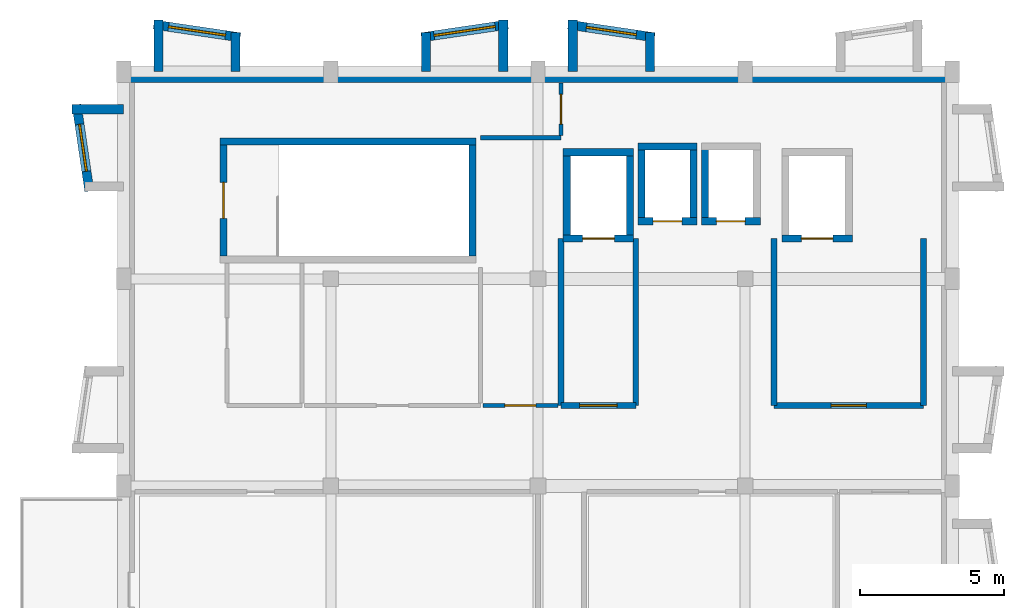
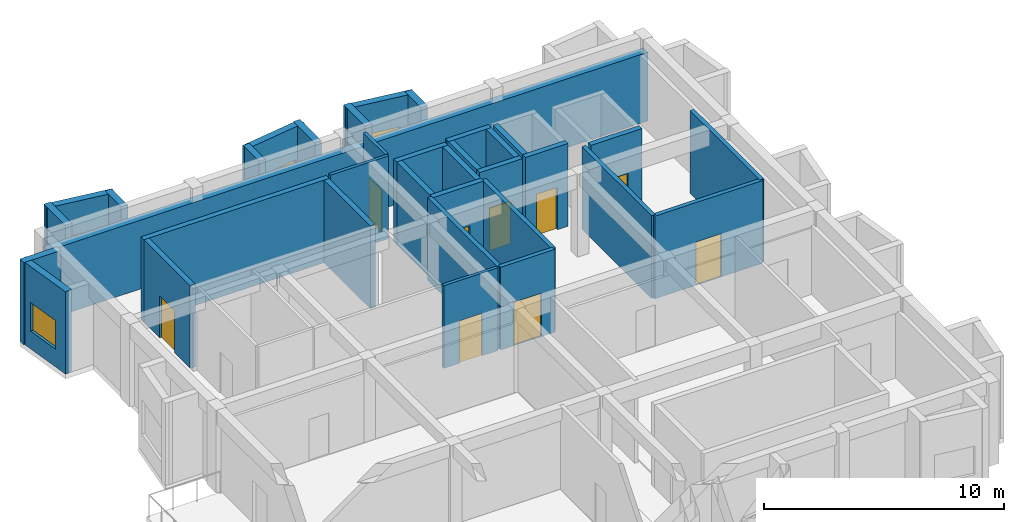
# One storey, part 3 of 5: 35 walls, 9 doors, 4 windows, 13 openings.
"""IFC4 building model written with IfcOpenShell, lengths in metres."""

import ifcopenshell
import ifcopenshell.guid

model = None  # the IFC model being written
_history = None  # IfcOwnerHistory: only IFC2X3 demands one
_inside = {}  # id of a spatial element -> (the spatial element, [elements in it])
_under = {}  # id of a project, library or spatial element -> (it, [spatial elements below it])
_declared = {}  # id of a project -> (the project, [libraries it declares])
_typed = {}  # id of a type object -> (the type object, [elements of that type])
_made_of = {}  # id of a material, layer set ... -> (it, [elements and type objects made of it])


def new_model(schema):
    """Start an empty IFC model of exactly this schema.

    Asked for "IFC4X3", IfcOpenShell would pick the latest addendum, in which some entities
    have other attributes; the version numbers below select the first issue.
    IFC2X3 requires an IfcOwnerHistory on every rooted entity: one is made here for all.
    """
    global model, _history
    if schema == "IFC4X3":
        model = ifcopenshell.file(schema_version=(4, 3, 0, 0))
    else:
        model = ifcopenshell.file(schema=schema)
    _inside.clear()
    _under.clear()
    _declared.clear()
    _typed.clear()
    _made_of.clear()
    _history = None
    if model.schema == "IFC2X3":
        org = make("IfcOrganization", Name="unknown")
        user = make(
            "IfcPersonAndOrganization",
            ThePerson=make("IfcPerson", FamilyName="unknown"),
            TheOrganization=org,
        )
        app = make(
            "IfcApplication",
            ApplicationDeveloper=org,
            Version="unknown",
            ApplicationFullName="unknown",
            ApplicationIdentifier="unknown",
        )
        _history = make(
            "IfcOwnerHistory",
            OwningUser=user,
            OwningApplication=app,
            ChangeAction="ADDED",
            CreationDate=0,
        )
    return model


def make(cls, **values):
    """One entity of the class cls with the attributes given. An attribute that is None is left unset."""
    return model.create_entity(
        cls, **{name: value for name, value in values.items() if value is not None}
    )


def rooted(cls, **values):
    """An entity with a GlobalId (a new one), such as an element, a storey or a relation."""
    return make(cls, GlobalId=ifcopenshell.guid.new(), OwnerHistory=_history, **values)


def si_unit(unit_type, name, prefix=None):
    """IfcSIUnit, for example si_unit("LENGTHUNIT", "METRE", prefix="MILLI")."""
    return make("IfcSIUnit", UnitType=unit_type, Prefix=prefix, Name=name)


def assignment(units):
    """IfcUnitAssignment: the units of a project."""
    return None if units is None else make("IfcUnitAssignment", Units=units)


def point(xyz):
    """IfcCartesianPoint."""
    return None if xyz is None else make("IfcCartesianPoint", Coordinates=xyz)


def direction(xyz):
    """IfcDirection."""
    return None if xyz is None else make("IfcDirection", DirectionRatios=xyz)


def frame(location, z_axis=None, x_axis=None):
    """IfcAxis2Placement3D, a coordinate frame: its origin and axes. An axis left out is left unset."""
    return make(
        "IfcAxis2Placement3D",
        Location=point(location),
        Axis=direction(z_axis),
        RefDirection=direction(x_axis),
    )


def frame_2d(location, x_axis=None):
    """IfcAxis2Placement2D, a coordinate frame in the plane: its origin and x axis."""
    return make(
        "IfcAxis2Placement2D", Location=point(location), RefDirection=direction(x_axis)
    )


def origin():
    """The frame at (0, 0, 0) with its axes left unset."""
    return frame((0.0, 0.0, 0.0))


def place(relative_to, where):
    """IfcLocalPlacement: puts the frame where relative to a parent placement (None: the world)."""
    return make(
        "IfcLocalPlacement", PlacementRelTo=relative_to, RelativePlacement=where
    )


def context(
    kind, dimensions, precision=None, world=None, true_north=None, identifier=None
):
    """IfcGeometricRepresentationContext, for example the 3D "Model" context."""
    return make(
        "IfcGeometricRepresentationContext",
        ContextIdentifier=identifier,
        ContextType=kind,
        CoordinateSpaceDimension=dimensions,
        Precision=precision,
        WorldCoordinateSystem=world,
        TrueNorth=true_north,
    )


def subcontext(parent, identifier, kind, view, scale=None):
    """IfcGeometricRepresentationSubContext, for example "Body" below "Model"."""
    return make(
        "IfcGeometricRepresentationSubContext",
        ContextIdentifier=identifier,
        ContextType=kind,
        ParentContext=parent,
        TargetScale=scale,
        TargetView=view,
    )


def project(units=None, contexts=None):
    """IfcProject with its units and contexts."""
    return rooted(
        "IfcProject",
        Name="project",
        RepresentationContexts=contexts,
        UnitsInContext=assignment(units),
    )


def spatial(cls, under=None, at=None, **own):
    """A site, building, storey or space (cls), placed at a placement, below another one or the project."""
    s = rooted(cls, ObjectPlacement=at, **own)
    if under is not None:
        _under.setdefault(under.id(), (under, []))[1].append(s)
    return s


def profile(cls, at=None, kind="AREA", **sizes):
    """A parametric profile (cls). Its sizes go by their IFC names, for example OverallWidth=200.0."""
    return make(cls, ProfileType=kind, Position=at, **sizes)


def rectangle(**sizes):
    """IfcRectangleProfileDef."""
    return profile("IfcRectangleProfileDef", **sizes)


def extrude(swept, where, along, depth):
    """IfcExtrudedAreaSolid: the profile swept, set in the frame where, extruded along a direction by depth."""
    return make(
        "IfcExtrudedAreaSolid",
        SweptArea=swept,
        Position=where,
        ExtrudedDirection=direction(along),
        Depth=depth,
    )


def shape(context_of_items, identifier, shape_type, items):
    """IfcShapeRepresentation: the items that make up one representation, for example the "Body"."""
    return make(
        "IfcShapeRepresentation",
        ContextOfItems=context_of_items,
        RepresentationIdentifier=identifier,
        RepresentationType=shape_type,
        Items=items,
    )


def material(Name=None, Category=None):
    """IfcMaterial."""
    return make("IfcMaterial", Name=Name, Category=Category)


def layer(
    of_material, thickness, ventilated=None, Name=None, Category=None, Priority=None
):
    """IfcMaterialLayer: one layer of a wall or slab, of a material (None: an air gap)."""
    return make(
        "IfcMaterialLayer",
        Material=of_material,
        LayerThickness=thickness,
        IsVentilated=ventilated,
        Name=Name,
        Category=Category,
        Priority=Priority,
    )


def layer_set(layers, Name=None):
    """IfcMaterialLayerSet."""
    return make("IfcMaterialLayerSet", MaterialLayers=layers, LayerSetName=Name)


def made_of(thing, what):
    """Note that an element or type object is made of a material, layer set ...; save() writes the relation."""
    if what is not None:
        _made_of.setdefault(what.id(), (what, []))[1].append(thing)
    return thing


def type_object(cls, material=None, **own):
    """A type object (cls), such as IfcWallType, which elements share."""
    return made_of(rooted(cls, **own), material)


def element(
    cls,
    number,
    at=None,
    inside=None,
    cuts=None,
    type_object=None,
    material=None,
    context=None,
    identifier="Body",
    shape_type=None,
    held_by="IfcProductDefinitionShape",
    body=None,
    shapes=None,
    **own,
):
    """One element of the class cls, such as IfcWall. Its Tag is "e" and its number.

    at: its placement. inside: the storey or other place that contains it. cuts: it is an
    opening in that element (IfcRelVoidsElement). A single representation is given by context,
    identifier, shape_type and body (its items); several are given by shapes. held_by: the class
    of the entity that holds the representations. save() writes the other relations.
    """
    e = rooted(cls, Tag="e%d" % number, ObjectPlacement=at, **own)
    if body is not None:
        shapes = [shape(context, identifier, shape_type, body)]
    if shapes is not None:
        e.Representation = make(held_by, Representations=shapes)
    if inside is not None:
        _inside.setdefault(inside.id(), (inside, []))[1].append(e)
    if cuts is not None:
        rooted(
            "IfcRelVoidsElement", RelatingBuildingElement=cuts, RelatedOpeningElement=e
        )
    if type_object is not None:
        _typed.setdefault(type_object.id(), (type_object, []))[1].append(e)
    return made_of(e, material)


def fill(opening, filler):
    """IfcRelFillsElement: the door or window that sits in an opening."""
    return rooted(
        "IfcRelFillsElement",
        RelatingOpeningElement=opening,
        RelatedBuildingElement=filler,
    )


def aggregate(whole, parts):
    """IfcRelAggregates: a whole, such as a stair, and the parts it consists of."""
    return rooted("IfcRelAggregates", RelatingObject=whole, RelatedObjects=parts)


def save(model, path):
    """Write the relations noted so far, then the file.

    IfcRelAggregates (storeys below a building ...), IfcRelContainedInSpatialStructure (elements
    in a storey), IfcRelDefinesByType, IfcRelAssociatesMaterial and IfcRelDeclares: one each for
    every whole, place, type object, material and project.
    """
    for whole, parts in _under.values():
        aggregate(whole, parts)
    for where, things in _inside.values():
        rooted(
            "IfcRelContainedInSpatialStructure",
            RelatedElements=things,
            RelatingStructure=where,
        )
    for kind, things in _typed.values():
        rooted("IfcRelDefinesByType", RelatedObjects=things, RelatingType=kind)
    for what, things in _made_of.values():
        rooted("IfcRelAssociatesMaterial", RelatedObjects=things, RelatingMaterial=what)
    for by, libraries in _declared.values():
        rooted("IfcRelDeclares", RelatingContext=by, RelatedDefinitions=libraries)
    model.write(path)


model = new_model("IFC4")

# Units and contexts
model_context = context("Model", 3, precision=1e-05, world=origin(), true_north=direction((0.0, 1.0)))
body_context = subcontext(model_context, "Body", "Model", "MODEL_VIEW")
ifc_project = project(units=[si_unit("LENGTHUNIT", "METRE"), si_unit("AREAUNIT", "SQUARE_METRE"), si_unit("VOLUMEUNIT", "CUBIC_METRE"), si_unit("PLANEANGLEUNIT", "RADIAN"), si_unit("MASSUNIT", "GRAM", prefix="KILO")], contexts=[model_context])

# Site, building, storey
site_placement = place(None, origin())
site = spatial("IfcSite", under=ifc_project, at=site_placement, CompositionType="ELEMENT")
building_placement = place(site_placement, origin())
building = spatial("IfcBuilding", under=site, at=building_placement, Name="Bramveld Media Centre", CompositionType="ELEMENT")
storey_placement = place(building_placement, frame((0.0, 0.0, 29.699951171875)))
storey = spatial("IfcBuildingStorey", under=building, at=storey_placement, Name="L07", CompositionType="ELEMENT", Elevation=29.699951171875)

# Wall
ifc_material_1 = material(Name="Concrete C40/50 stair & lift core wall", Category="concrete")
ifc_layer_1 = layer(ifc_material_1, 0.25)
ifc_layer_set_1 = layer_set([ifc_layer_1], Name="Concrete C40/50 stair & lift core wall")
wall_type_1 = type_object("IfcWallType", Name="CWALL-SHEAR-250", PredefinedType="SHEAR", material=ifc_layer_set_1)
wall_1_placement = place(storey_placement, frame((143.449951171875, 109.574951171875, 0.0), z_axis=(0.0, 0.0, 1.0), x_axis=(-1.0, 0.0, 0.0)))
element("IfcWall", 1, at=wall_1_placement, inside=storey, type_object=wall_type_1, Name="ST-01 L07 stair core shear wall N", PredefinedType="SHEAR", context=body_context, shape_type="SweptSolid", body=[
    extrude(rectangle(XDim=8.89990234375, YDim=0.25, at=frame_2d((4.449951171875, 0.0))), origin(), (0.0, 0.0, 1.0), 4.199951171875),
])

# Wall, opening, door
wall_2_placement = place(storey_placement, frame((134.675048828125, 109.449951171875, 0.0), z_axis=(0.0, 0.0, 1.0), x_axis=(0.0, -1.0, 0.0)))
wall_2 = element("IfcWall", 2, at=wall_2_placement, inside=storey, type_object=wall_type_1, Name="ST-01 L07 stair core shear wall W", PredefinedType="SHEAR", context=body_context, shape_type="SweptSolid", body=[
    extrude(rectangle(XDim=3.849853515625, YDim=0.25, at=frame_2d((1.9248046875, 0.0))), origin(), (0.0, 0.0, 1.0), 4.199951171875),
])
opening_1_placement = place(wall_2_placement, frame((1.300048828125, 0.0, 0.0)))
opening_1 = element("IfcOpeningElement", 3, at=opening_1_placement, cuts=wall_2, Name="Opening SD-01-L07", PredefinedType="OPENING", context=body_context, shape_type="SweptSolid", body=[
    extrude(rectangle(XDim=1.25, YDim=2.14990234375, at=frame_2d((0.625, 1.074951171875))), frame((0.0, 0.136962890625, 0.0), z_axis=(0.0, -1.0, 0.0), x_axis=(1.0, 0.0, 0.0)), (0.0, 0.0, 1.0), 0.27392578125),
])
ifc_material_2 = material(Name="Painted galvanized steel acoustic fire door with intumescent smoke seals", Category="steel")
door_type_1 = type_object("IfcDoorType", Name="DR-ST-1250", OperationType="NOTDEFINED", PredefinedType="DOOR", material=ifc_material_2)
door_1_placement = place(opening_1_placement, origin())
door_1 = element("IfcDoor", 4, at=door_1_placement, inside=storey, type_object=door_type_1, Name="ST-01 L07 pressurized stair fire door", OperationType="SINGLE_SWING_RIGHT", OverallHeight=2.14990234375, OverallWidth=1.25, PredefinedType="DOOR", context=body_context, shape_type="SweptSolid", body=[
    extrude(rectangle(XDim=1.25, YDim=2.14990234375, at=frame_2d((0.625, 1.074951171875))), frame((0.0, 0.02490234375, 0.0), z_axis=(0.0, -1.0, 0.0), x_axis=(1.0, 0.0, 0.0)), (0.0, 0.0, 1.0), 0.050048828125),
])
fill(opening_1, door_1)

# Wall
wall_3_placement = place(storey_placement, frame((143.324951171875, 105.60009765625, 0.0), z_axis=(0.0, 0.0, 1.0), x_axis=(0.0, 1.0, 0.0)))
element("IfcWall", 5, at=wall_3_placement, inside=storey, type_object=wall_type_1, Name="ST-01 L07 stair core shear wall E", PredefinedType="SHEAR", context=body_context, shape_type="SweptSolid", body=[
    extrude(rectangle(XDim=3.849853515625, YDim=0.25, at=frame_2d((1.9248046875, 0.0))), origin(), (0.0, 0.0, 1.0), 4.199951171875),
])

# Wall, opening, door
wall_4_placement = place(storey_placement, frame((146.47509765625, 106.199951171875, 0.0), z_axis=(0.0, 0.0, 1.0), x_axis=(1.0, 0.0, 0.0)))
wall_4 = element("IfcWall", 6, at=wall_4_placement, inside=storey, type_object=wall_type_1, Name="FL-01 L07 lift shaft wall S", PredefinedType="SHEAR", context=body_context, shape_type="SweptSolid", body=[
    extrude(rectangle(XDim=2.449951171875, YDim=0.25, at=frame_2d((1.22509765625, 0.0))), origin(), (0.0, 0.0, 1.0), 4.199951171875),
])
opening_2_placement = place(wall_4_placement, frame((0.675048828125, 0.0, 0.0)))
opening_2 = element("IfcOpeningElement", 7, at=opening_2_placement, cuts=wall_4, Name="Opening LD-01-01-L07", PredefinedType="OPENING", context=body_context, shape_type="SweptSolid", body=[
    extrude(rectangle(XDim=1.10009765625, YDim=2.14990234375, at=frame_2d((0.550048828125, 1.074951171875))), frame((0.0, 0.136962890625, 0.0), z_axis=(0.0, -1.0, 0.0), x_axis=(1.0, 0.0, 0.0)), (0.0, 0.0, 1.0), 0.27392578125),
])
ifc_material_3 = material(Name="Brushed stainless steel automatic fire-rated sliding lift landing door", Category="steel")
door_type_2 = type_object("IfcDoorType", Name="LD-TYPE-01", OperationType="SLIDING_TO_LEFT", PredefinedType="DOOR", material=ifc_material_3)
door_2_placement = place(opening_2_placement, origin())
door_2 = element("IfcDoor", 8, at=door_2_placement, inside=storey, type_object=door_type_2, Name="FL-01 L07 sliding lift landing door", OperationType="SLIDING_TO_LEFT", OverallHeight=2.14990234375, OverallWidth=1.10009765625, PredefinedType="DOOR", context=body_context, shape_type="SweptSolid", body=[
    extrude(rectangle(XDim=1.10009765625, YDim=2.14990234375, at=frame_2d((0.550048828125, 1.074951171875))), frame((0.0, 0.02490234375, 0.0), z_axis=(0.0, -1.0, 0.0), x_axis=(1.0, 0.0, 0.0)), (0.0, 0.0, 1.0), 0.050048828125),
])
fill(opening_2, door_2)

# Walls
wall_5_placement = place(storey_placement, frame((148.925048828125, 109.199951171875, 0.0), z_axis=(0.0, 0.0, 1.0), x_axis=(-1.0, 0.0, 0.0)))
element("IfcWall", 9, at=wall_5_placement, inside=storey, type_object=wall_type_1, Name="FL-01 L07 lift shaft wall N", PredefinedType="SHEAR", context=body_context, shape_type="SweptSolid", body=[
    extrude(rectangle(XDim=2.449951171875, YDim=0.25, at=frame_2d((1.22509765625, 0.0))), origin(), (0.0, 0.0, 1.0), 4.199951171875),
])
for number, where, z_axis, x_axis, name in (
    (10, (146.60009765625, 109.199951171875, 0.0), (0.0, 0.0, 1.0), (0.0, -1.0, 0.0), "FL-01 L07 lift shaft wall W"),
    (11, (148.800048828125, 106.199951171875, 0.0), (0.0, 0.0, 1.0), (0.0, 1.0, 0.0), "FL-01 L07 lift shaft wall E"),
):
    element("IfcWall", number, at=place(storey_placement, frame(where, z_axis=z_axis, x_axis=x_axis)), inside=storey, type_object=wall_type_1, Name=name, PredefinedType="SHEAR", context=body_context, shape_type="SweptSolid", body=[
        extrude(rectangle(XDim=3.0, YDim=0.25, at=frame_2d((1.5, 0.0))), origin(), (0.0, 0.0, 1.0), 4.199951171875),
    ])

# Wall, opening, door
wall_6_placement = place(storey_placement, frame((154.074951171875, 106.199951171875, 0.0), z_axis=(0.0, 0.0, 1.0), x_axis=(1.0, 0.0, 0.0)))
wall_6 = element("IfcWall", 12, at=wall_6_placement, inside=storey, type_object=wall_type_1, Name="FL-02 L07 lift shaft wall S", PredefinedType="SHEAR", context=body_context, shape_type="SweptSolid", body=[
    extrude(rectangle(XDim=2.449951171875, YDim=0.25, at=frame_2d((1.22509765625, 0.0))), origin(), (0.0, 0.0, 1.0), 4.199951171875),
])
opening_3_placement = place(wall_6_placement, frame((0.675048828125, 0.0, 0.0)))
opening_3 = element("IfcOpeningElement", 13, at=opening_3_placement, cuts=wall_6, Name="Opening LD-01-02-L07", PredefinedType="OPENING", context=body_context, shape_type="SweptSolid", body=[
    extrude(rectangle(XDim=1.10009765625, YDim=2.14990234375, at=frame_2d((0.550048828125, 1.074951171875))), frame((0.0, 0.136962890625, 0.0), z_axis=(0.0, -1.0, 0.0), x_axis=(1.0, 0.0, 0.0)), (0.0, 0.0, 1.0), 0.27392578125),
])
door_3_placement = place(opening_3_placement, origin())
door_3 = element("IfcDoor", 14, at=door_3_placement, inside=storey, type_object=door_type_2, Name="FL-02 L07 sliding lift landing door", OperationType="SLIDING_TO_LEFT", OverallHeight=2.14990234375, OverallWidth=1.10009765625, PredefinedType="DOOR", context=body_context, shape_type="SweptSolid", body=[
    extrude(rectangle(XDim=1.10009765625, YDim=2.14990234375, at=frame_2d((0.550048828125, 1.074951171875))), frame((0.0, 0.02490234375, 0.0), z_axis=(0.0, -1.0, 0.0), x_axis=(1.0, 0.0, 0.0)), (0.0, 0.0, 1.0), 0.050048828125),
])
fill(opening_3, door_3)

wall_7_placement = place(storey_placement, frame((149.074951171875, 106.800048828125, 0.0), z_axis=(0.0, 0.0, 1.0), x_axis=(1.0, 0.0, 0.0)))
wall_7 = element("IfcWall", 15, at=wall_7_placement, inside=storey, type_object=wall_type_1, Name="PL-01 L07 lift shaft wall S", PredefinedType="SHEAR", context=body_context, shape_type="SweptSolid", body=[
    extrude(rectangle(XDim=2.050048828125, YDim=0.25, at=frame_2d((1.02490234375, 0.0))), origin(), (0.0, 0.0, 1.0), 4.199951171875),
])
opening_4_placement = place(wall_7_placement, frame((0.52490234375, 0.0, 0.0)))
opening_4 = element("IfcOpeningElement", 16, at=opening_4_placement, cuts=wall_7, Name="Opening LD-02-01-L07", PredefinedType="OPENING", context=body_context, shape_type="SweptSolid", body=[
    extrude(rectangle(XDim=1.0, YDim=2.14990234375, at=frame_2d((0.5, 1.074951171875))), frame((0.0, 0.136962890625, 0.0), z_axis=(0.0, -1.0, 0.0), x_axis=(1.0, 0.0, 0.0)), (0.0, 0.0, 1.0), 0.27392578125),
])
ifc_material_4 = material(Name="Brushed stainless steel automatic fire-rated sliding lift landing door", Category="steel")
door_type_3 = type_object("IfcDoorType", Name="LD-TYPE-02", OperationType="SLIDING_TO_LEFT", PredefinedType="DOOR", material=ifc_material_4)
door_4_placement = place(opening_4_placement, origin())
door_4 = element("IfcDoor", 17, at=door_4_placement, inside=storey, type_object=door_type_3, Name="PL-01 L07 sliding lift landing door", OperationType="SLIDING_TO_LEFT", OverallHeight=2.14990234375, OverallWidth=1.0, PredefinedType="DOOR", context=body_context, shape_type="SweptSolid", body=[
    extrude(rectangle(XDim=1.0, YDim=2.14990234375, at=frame_2d((0.5, 1.074951171875))), frame((0.0, 0.02490234375, 0.0), z_axis=(0.0, -1.0, 0.0), x_axis=(1.0, 0.0, 0.0)), (0.0, 0.0, 1.0), 0.050048828125),
])
fill(opening_4, door_4)

# Walls
wall_8_placement = place(storey_placement, frame((151.125, 109.39990234375, 0.0), z_axis=(0.0, 0.0, 1.0), x_axis=(-1.0, 0.0, 0.0)))
element("IfcWall", 18, at=wall_8_placement, inside=storey, type_object=wall_type_1, Name="PL-01 L07 lift shaft wall N", PredefinedType="SHEAR", context=body_context, shape_type="SweptSolid", body=[
    extrude(rectangle(XDim=2.050048828125, YDim=0.25, at=frame_2d((1.02490234375, 0.0))), origin(), (0.0, 0.0, 1.0), 4.199951171875),
])
for number, where, z_axis, x_axis, name in (
    (19, (149.199951171875, 109.39990234375, 0.0), (0.0, 0.0, 1.0), (0.0, -1.0, 0.0), "PL-01 L07 lift shaft wall W"),
    (20, (151.0, 106.800048828125, 0.0), (0.0, 0.0, 1.0), (0.0, 1.0, 0.0), "PL-01 L07 lift shaft wall E"),
):
    element("IfcWall", number, at=place(storey_placement, frame(where, z_axis=z_axis, x_axis=x_axis)), inside=storey, type_object=wall_type_1, Name=name, PredefinedType="SHEAR", context=body_context, shape_type="SweptSolid", body=[
        extrude(rectangle(XDim=2.599853515625, YDim=0.25, at=frame_2d((1.2998046875, 0.0))), origin(), (0.0, 0.0, 1.0), 4.199951171875),
    ])

# Wall, opening, door
wall_9_placement = place(storey_placement, frame((151.27490234375, 106.800048828125, 0.0), z_axis=(0.0, 0.0, 1.0), x_axis=(1.0, 0.0, 0.0)))
wall_9 = element("IfcWall", 21, at=wall_9_placement, inside=storey, type_object=wall_type_1, Name="PL-02 L07 lift shaft wall S", PredefinedType="SHEAR", context=body_context, shape_type="SweptSolid", body=[
    extrude(rectangle(XDim=2.050048828125, YDim=0.25, at=frame_2d((1.02490234375, 0.0))), origin(), (0.0, 0.0, 1.0), 4.199951171875),
])
opening_5_placement = place(wall_9_placement, frame((0.52490234375, 0.0, 0.0)))
opening_5 = element("IfcOpeningElement", 22, at=opening_5_placement, cuts=wall_9, Name="Opening LD-02-02-L07", PredefinedType="OPENING", context=body_context, shape_type="SweptSolid", body=[
    extrude(rectangle(XDim=1.0, YDim=2.14990234375, at=frame_2d((0.5, 1.074951171875))), frame((0.0, 0.136962890625, 0.0), z_axis=(0.0, -1.0, 0.0), x_axis=(1.0, 0.0, 0.0)), (0.0, 0.0, 1.0), 0.27392578125),
])
door_5_placement = place(opening_5_placement, origin())
door_5 = element("IfcDoor", 23, at=door_5_placement, inside=storey, type_object=door_type_3, Name="PL-02 L07 sliding lift landing door", OperationType="SLIDING_TO_LEFT", OverallHeight=2.14990234375, OverallWidth=1.0, PredefinedType="DOOR", context=body_context, shape_type="SweptSolid", body=[
    extrude(rectangle(XDim=1.0, YDim=2.14990234375, at=frame_2d((0.5, 1.074951171875))), frame((0.0, 0.02490234375, 0.0), z_axis=(0.0, -1.0, 0.0), x_axis=(1.0, 0.0, 0.0)), (0.0, 0.0, 1.0), 0.050048828125),
])
fill(opening_5, door_5)

# Walls
wall_10_placement = place(storey_placement, frame((151.39990234375, 109.39990234375, 0.0), z_axis=(0.0, 0.0, 1.0), x_axis=(0.0, -1.0, 0.0)))
element("IfcWall", 24, at=wall_10_placement, inside=storey, type_object=wall_type_1, Name="PL-02 L07 lift shaft wall W", PredefinedType="SHEAR", context=body_context, shape_type="SweptSolid", body=[
    extrude(rectangle(XDim=2.599853515625, YDim=0.25, at=frame_2d((1.2998046875, 0.0))), origin(), (0.0, 0.0, 1.0), 4.199951171875),
])
ifc_material_5 = material(Name="Flemish red-brown clay facing brick cavity wall with calcium-silicate backing", Category="masonry")
ifc_layer_2 = layer(ifc_material_5, 0.3798828125)
ifc_layer_set_2 = layer_set([ifc_layer_2], Name="Flemish red-brown clay facing brick cavity wall with calcium-silicate backing")
wall_type_2 = type_object("IfcWallType", Name="EW-BRK-380", PredefinedType="SOLIDWALL", material=ifc_layer_set_2)
wall_11_placement = place(storey_placement, frame((131.199951171875, 111.81005859375, 0.0), z_axis=(0.0, 0.0, 1.0), x_axis=(1.0, 0.0, 0.0)))
element("IfcWall", 25, at=wall_11_placement, inside=storey, type_object=wall_type_2, Name="V7 L07 N facing brick exterior wall", PredefinedType="SOLIDWALL", context=body_context, shape_type="SweptSolid", body=[
    extrude(rectangle(XDim=28.800048828125, YDim=0.3798828125, at=frame_2d((14.39990234375, 0.0))), origin(), (0.0, 0.0, 1.0), 3.4951171875),
])

# Wall, opening, window
ifc_material_6 = material(Name="Precast concrete C40/50 & brick-slip faceted bay cheek wall", Category="masonry")
ifc_layer_3 = layer(ifc_material_6, 0.320068359375)
ifc_layer_set_3 = layer_set([ifc_layer_3], Name="Precast concrete C40/50 & brick-slip faceted bay cheek wall")
wall_type_3 = type_object("IfcWallType", Name="EW-FACET-320", PredefinedType="SOLIDWALL", material=ifc_layer_set_3)
wall_12_placement = place(storey_placement, frame((135.25, 113.18994140625, 0.0), z_axis=(0.0, 0.0, 1.0), x_axis=(-0.989266910268, 0.146119746268, 0.0)))
wall_12 = element("IfcWall", 26, at=wall_12_placement, inside=storey, type_object=wall_type_3, Name="V7 L07 N angled faceted bay front wall 1", PredefinedType="SOLIDWALL", context=body_context, shape_type="SweptSolid", body=[
    extrude(rectangle(XDim=3.032470703125, YDim=0.320068359375, at=frame_2d((1.51611328125, 0.0))), origin(), (0.0, 0.0, 1.0), 4.179931640625),
])
opening_6_placement = place(wall_12_placement, frame((0.516357421875, 0.0, 0.89990234375)))
opening_6 = element("IfcOpeningElement", 27, at=opening_6_placement, cuts=wall_12, Name="Opening W-31", PredefinedType="OPENING", context=body_context, shape_type="SweptSolid", body=[
    extrude(rectangle(XDim=2.0, YDim=1.60009765625, at=frame_2d((1.0, 0.800048828125))), frame((0.0, 0.171875, 0.0), z_axis=(0.0, -1.0, 0.0), x_axis=(1.0, 0.0, 0.0)), (0.0, 0.0, 1.0), 0.343994140625),
])
ifc_material_7 = material(Name="Thermally broken anodized bronze aluminium frame with triple acoustic glazing", Category="aluminium")
window_type_1 = type_object("IfcWindowType", Name="WIN-FAC-31", PartitioningType="SINGLE_PANEL", PredefinedType="WINDOW", material=ifc_material_7)
window_1_placement = place(opening_6_placement, origin())
window_1 = element("IfcWindow", 28, at=window_1_placement, inside=storey, type_object=window_type_1, Name="V7 L07 N faceted bay window 1", OverallHeight=1.60009765625, OverallWidth=2.0, PartitioningType="SINGLE_PANEL", PredefinedType="WINDOW", context=body_context, shape_type="SweptSolid", body=[
    extrude(rectangle(XDim=2.0, YDim=1.60009765625, at=frame_2d((1.0, 0.800048828125))), frame((0.0, 0.030029296875, 0.0), z_axis=(0.0, -1.0, 0.0), x_axis=(1.0, 0.0, 0.0)), (0.0, 0.0, 1.0), 0.06005859375),
])
fill(opening_6, window_1)

# Walls
wall_13_placement = place(storey_placement, frame((132.409912109375, 112.0, 0.0), z_axis=(0.0, 0.0, 1.0), x_axis=(0.0, 1.0, 0.0)))
element("IfcWall", 29, at=wall_13_placement, inside=storey, type_object=wall_type_3, Name="V7 L07 N faceted bay cheek wall", PredefinedType="SOLIDWALL", context=body_context, shape_type="SweptSolid", body=[
    extrude(rectangle(XDim=1.79296875, YDim=0.320068359375, at=frame_2d((0.896484375, 0.0))), origin(), (0.0, 0.0, 1.0), 4.179931640625),
])
wall_14_placement = place(storey_placement, frame((135.090087890625, 112.0, 0.0), z_axis=(0.0, 0.0, 1.0), x_axis=(0.0, 1.0, 0.0)))
element("IfcWall", 30, at=wall_14_placement, inside=storey, type_object=wall_type_3, Name="V7 L07 N faceted bay cheek wall", PredefinedType="SOLIDWALL", context=body_context, shape_type="SweptSolid", body=[
    extrude(rectangle(XDim=1.35009765625, YDim=0.320068359375, at=frame_2d((0.675048828125, 0.0))), origin(), (0.0, 0.0, 1.0), 4.179931640625),
])

# Wall, opening, window
wall_15_placement = place(storey_placement, frame((144.550048828125, 113.633056640625, 0.0), z_axis=(0.0, 0.0, 1.0), x_axis=(-0.989266910268, -0.146119746268, 0.0)))
wall_15 = element("IfcWall", 31, at=wall_15_placement, inside=storey, type_object=wall_type_3, Name="V7 L07 N angled faceted bay front wall 2", PredefinedType="SOLIDWALL", context=body_context, shape_type="SweptSolid", body=[
    extrude(rectangle(XDim=3.032470703125, YDim=0.320068359375, at=frame_2d((1.51611328125, 0.0))), origin(), (0.0, 0.0, 1.0), 4.179931640625),
])
opening_7_placement = place(wall_15_placement, frame((0.44140625, 0.0, 0.89990234375)))
opening_7 = element("IfcOpeningElement", 32, at=opening_7_placement, cuts=wall_15, Name="Opening W-32", PredefinedType="OPENING", context=body_context, shape_type="SweptSolid", body=[
    extrude(rectangle(XDim=2.14990234375, YDim=1.60009765625, at=frame_2d((1.074951171875, 0.800048828125))), frame((0.0, 0.171875, 0.0), z_axis=(0.0, -1.0, 0.0), x_axis=(1.0, 0.0, 0.0)), (0.0, 0.0, 1.0), 0.343994140625),
])
ifc_material_8 = material(Name="Thermally broken anodized bronze aluminium frame with triple acoustic glazing", Category="aluminium")
window_type_2 = type_object("IfcWindowType", Name="WIN-FAC-32", PartitioningType="SINGLE_PANEL", PredefinedType="WINDOW", material=ifc_material_8)
window_2_placement = place(opening_7_placement, origin())
window_2 = element("IfcWindow", 33, at=window_2_placement, inside=storey, type_object=window_type_2, Name="V7 L07 N faceted bay window 2", OverallHeight=1.60009765625, OverallWidth=2.14990234375, PartitioningType="SINGLE_PANEL", PredefinedType="WINDOW", context=body_context, shape_type="SweptSolid", body=[
    extrude(rectangle(XDim=2.14990234375, YDim=1.60009765625, at=frame_2d((1.074951171875, 0.800048828125))), frame((0.0, 0.030029296875, 0.0), z_axis=(0.0, -1.0, 0.0), x_axis=(1.0, 0.0, 0.0)), (0.0, 0.0, 1.0), 0.06005859375),
])
fill(opening_7, window_2)

# Walls
wall_16_placement = place(storey_placement, frame((141.7099609375, 112.0, 0.0), z_axis=(0.0, 0.0, 1.0), x_axis=(0.0, 1.0, 0.0)))
element("IfcWall", 34, at=wall_16_placement, inside=storey, type_object=wall_type_3, Name="V7 L07 N faceted bay cheek wall", PredefinedType="SOLIDWALL", context=body_context, shape_type="SweptSolid", body=[
    extrude(rectangle(XDim=1.35009765625, YDim=0.320068359375, at=frame_2d((0.675048828125, 0.0))), origin(), (0.0, 0.0, 1.0), 4.179931640625),
])
wall_17_placement = place(storey_placement, frame((144.389892578125, 112.0, 0.0), z_axis=(0.0, 0.0, 1.0), x_axis=(0.0, 1.0, 0.0)))
element("IfcWall", 35, at=wall_17_placement, inside=storey, type_object=wall_type_3, Name="V7 L07 N faceted bay cheek wall", PredefinedType="SOLIDWALL", context=body_context, shape_type="SweptSolid", body=[
    extrude(rectangle(XDim=1.79296875, YDim=0.320068359375, at=frame_2d((0.896484375, 0.0))), origin(), (0.0, 0.0, 1.0), 4.179931640625),
])

# Wall, opening, window
wall_18_placement = place(storey_placement, frame((149.64990234375, 113.18994140625, 0.0), z_axis=(0.0, 0.0, 1.0), x_axis=(-0.989266910268, 0.146119746268, 0.0)))
wall_18 = element("IfcWall", 36, at=wall_18_placement, inside=storey, type_object=wall_type_3, Name="V7 L07 N angled faceted bay front wall 3", PredefinedType="SOLIDWALL", context=body_context, shape_type="SweptSolid", body=[
    extrude(rectangle(XDim=3.032470703125, YDim=0.320068359375, at=frame_2d((1.51611328125, 0.0))), origin(), (0.0, 0.0, 1.0), 4.179931640625),
])
opening_8_placement = place(wall_18_placement, frame((0.641357421875, 0.0, 0.89990234375)))
opening_8 = element("IfcOpeningElement", 37, at=opening_8_placement, cuts=wall_18, Name="Opening W-33", PredefinedType="OPENING", context=body_context, shape_type="SweptSolid", body=[
    extrude(rectangle(XDim=1.75, YDim=1.75, at=frame_2d((0.875, 0.875))), frame((0.0, 0.171875, 0.0), z_axis=(0.0, -1.0, 0.0), x_axis=(1.0, 0.0, 0.0)), (0.0, 0.0, 1.0), 0.343994140625),
])
ifc_material_9 = material(Name="Thermally broken anodized bronze aluminium frame with triple acoustic glazing", Category="aluminium")
window_type_3 = type_object("IfcWindowType", Name="WIN-FAC-33", PartitioningType="SINGLE_PANEL", PredefinedType="WINDOW", material=ifc_material_9)
window_3_placement = place(opening_8_placement, origin())
window_3 = element("IfcWindow", 38, at=window_3_placement, inside=storey, type_object=window_type_3, Name="V7 L07 N faceted bay window 3", OverallHeight=1.75, OverallWidth=1.75, PartitioningType="SINGLE_PANEL", PredefinedType="WINDOW", context=body_context, shape_type="SweptSolid", body=[
    extrude(rectangle(XDim=1.75, YDim=1.75, at=frame_2d((0.875, 0.875))), frame((0.0, 0.030029296875, 0.0), z_axis=(0.0, -1.0, 0.0), x_axis=(1.0, 0.0, 0.0)), (0.0, 0.0, 1.0), 0.06005859375),
])
fill(opening_8, window_3)

# Walls
wall_19_placement = place(storey_placement, frame((146.81005859375, 112.0, 0.0), z_axis=(0.0, 0.0, 1.0), x_axis=(0.0, 1.0, 0.0)))
element("IfcWall", 39, at=wall_19_placement, inside=storey, type_object=wall_type_3, Name="V7 L07 N faceted bay cheek wall", PredefinedType="SOLIDWALL", context=body_context, shape_type="SweptSolid", body=[
    extrude(rectangle(XDim=1.79296875, YDim=0.320068359375, at=frame_2d((0.896484375, 0.0))), origin(), (0.0, 0.0, 1.0), 4.179931640625),
])
wall_20_placement = place(storey_placement, frame((149.489990234375, 112.0, 0.0), z_axis=(0.0, 0.0, 1.0), x_axis=(0.0, 1.0, 0.0)))
element("IfcWall", 40, at=wall_20_placement, inside=storey, type_object=wall_type_3, Name="V7 L07 N faceted bay cheek wall", PredefinedType="SOLIDWALL", context=body_context, shape_type="SweptSolid", body=[
    extrude(rectangle(XDim=1.35009765625, YDim=0.320068359375, at=frame_2d((0.675048828125, 0.0))), origin(), (0.0, 0.0, 1.0), 4.179931640625),
])

# Wall, opening, window
wall_21_placement = place(storey_placement, frame((129.56689453125, 110.85009765625, 0.0), z_axis=(0.0, 0.0, 1.0), x_axis=(0.146119746268, -0.989266910268, 0.0)))
wall_21 = element("IfcWall", 41, at=wall_21_placement, inside=storey, type_object=wall_type_3, Name="V7 L07 W angled faceted bay front wall 4", PredefinedType="SOLIDWALL", context=body_context, shape_type="SweptSolid", body=[
    extrude(rectangle(XDim=3.032470703125, YDim=0.320068359375, at=frame_2d((1.51611328125, 0.0))), origin(), (0.0, 0.0, 1.0), 4.179931640625),
])
opening_9_placement = place(wall_21_placement, frame((0.69140625, 0.0, 0.89990234375)))
opening_9 = element("IfcOpeningElement", 42, at=opening_9_placement, cuts=wall_21, Name="Opening W-25", PredefinedType="OPENING", context=body_context, shape_type="SweptSolid", body=[
    extrude(rectangle(XDim=1.64990234375, YDim=1.449951171875, at=frame_2d((0.824951171875, 0.72509765625))), frame((0.0, 0.171875, 0.0), z_axis=(0.0, -1.0, 0.0), x_axis=(1.0, 0.0, 0.0)), (0.0, 0.0, 1.0), 0.343994140625),
])
ifc_material_10 = material(Name="Thermally broken anodized bronze aluminium frame with triple acoustic glazing", Category="aluminium")
window_type_4 = type_object("IfcWindowType", Name="WIN-FAC-25", PartitioningType="SINGLE_PANEL", PredefinedType="WINDOW", material=ifc_material_10)
window_4_placement = place(opening_9_placement, origin())
window_4 = element("IfcWindow", 43, at=window_4_placement, inside=storey, type_object=window_type_4, Name="V7 L07 W faceted bay window 4", OverallHeight=1.449951171875, OverallWidth=1.64990234375, PartitioningType="SINGLE_PANEL", PredefinedType="WINDOW", context=body_context, shape_type="SweptSolid", body=[
    extrude(rectangle(XDim=1.64990234375, YDim=1.449951171875, at=frame_2d((0.824951171875, 0.72509765625))), frame((0.0, 0.030029296875, 0.0), z_axis=(0.0, -1.0, 0.0), x_axis=(1.0, 0.0, 0.0)), (0.0, 0.0, 1.0), 0.06005859375),
])
fill(opening_9, window_4)

# Wall
wall_22_placement = place(storey_placement, frame((131.199951171875, 110.68994140625, 0.0), z_axis=(0.0, 0.0, 1.0), x_axis=(-1.0, 0.0, 0.0)))
element("IfcWall", 44, at=wall_22_placement, inside=storey, type_object=wall_type_3, Name="V7 L07 W faceted bay cheek wall", PredefinedType="SOLIDWALL", context=body_context, shape_type="SweptSolid", body=[
    extrude(rectangle(XDim=1.79296875, YDim=0.320068359375, at=frame_2d((0.896484375, 0.0))), origin(), (0.0, 0.0, 1.0), 4.179931640625),
])

# Wall, opening, door
ifc_material_11 = material(Name="Acoustic calcium-silicate & mineral-wool compartment partition", Category="masonry")
ifc_layer_4 = layer(ifc_material_11, 0.199951171875)
ifc_layer_set_4 = layer_set([ifc_layer_4], Name="Acoustic calcium-silicate & mineral-wool compartment partition")
wall_type_4 = type_object("IfcWallType", Name="IW-ACOU-200", PredefinedType="PARTITIONING", material=ifc_layer_set_4)
wall_23_placement = place(storey_placement, frame((146.39990234375, 100.39990234375, 0.0), z_axis=(0.0, 0.0, 1.0), x_axis=(1.0, 0.0, 0.0)))
wall_23 = element("IfcWall", 45, at=wall_23_placement, inside=storey, type_object=wall_type_4, Name="FL-01 L07 EI 120 firefighting lift lobby wall S", PredefinedType="PARTITIONING", context=body_context, shape_type="SweptSolid", body=[
    extrude(rectangle(XDim=2.60009765625, YDim=0.199951171875, at=frame_2d((1.300048828125, 0.0))), origin(), (0.0, 0.0, 1.0), 4.199951171875),
])
opening_10_placement = place(wall_23_placement, frame((0.64990234375, 0.0, 0.0)))
opening_10 = element("IfcOpeningElement", 46, at=opening_10_placement, cuts=wall_23, Name="Opening FD-01-L07", PredefinedType="OPENING", context=body_context, shape_type="SweptSolid", body=[
    extrude(rectangle(XDim=1.300048828125, YDim=2.199951171875, at=frame_2d((0.64990234375, 1.10009765625))), frame((0.0, 0.11181640625, 0.0), z_axis=(0.0, -1.0, 0.0), x_axis=(1.0, 0.0, 0.0)), (0.0, 0.0, 1.0), 0.223876953125),
])
ifc_material_12 = material(Name="Painted galvanized steel acoustic fire door with intumescent smoke seals", Category="steel")
door_type_4 = type_object("IfcDoorType", Name="DR-FFL-1300", OperationType="NOTDEFINED", PredefinedType="DOOR", material=ifc_material_12)
door_6_placement = place(opening_10_placement, origin())
door_6 = element("IfcDoor", 47, at=door_6_placement, inside=storey, type_object=door_type_4, Name="FL-01 L07 firefighting lobby smoke-control door", OperationType="SINGLE_SWING_RIGHT", OverallHeight=2.199951171875, OverallWidth=1.300048828125, PredefinedType="DOOR", context=body_context, shape_type="SweptSolid", body=[
    extrude(rectangle(XDim=1.300048828125, YDim=2.199951171875, at=frame_2d((0.64990234375, 1.10009765625))), frame((0.0, 0.02490234375, 0.0), z_axis=(0.0, -1.0, 0.0), x_axis=(1.0, 0.0, 0.0)), (0.0, 0.0, 1.0), 0.050048828125),
])
fill(opening_10, door_6)

# Walls
for number, where, z_axis, x_axis, name in (
    (48, (146.39990234375, 106.199951171875, 0.0), (0.0, 0.0, 1.0), (0.0, -1.0, 0.0), "FL-01 L07 EI 120 firefighting lift lobby wall W"),
    (49, (149.0, 100.39990234375, 0.0), (0.0, 0.0, 1.0), (0.0, 1.0, 0.0), "FL-01 L07 EI 120 firefighting lift lobby wall E"),
):
    element("IfcWall", number, at=place(storey_placement, frame(where, z_axis=z_axis, x_axis=x_axis)), inside=storey, type_object=wall_type_4, Name=name, PredefinedType="PARTITIONING", context=body_context, shape_type="SweptSolid", body=[
        extrude(rectangle(XDim=5.800048828125, YDim=0.199951171875, at=frame_2d((2.89990234375, 0.0))), origin(), (0.0, 0.0, 1.0), 4.199951171875),
    ])

# Wall, opening, door
wall_24_placement = place(storey_placement, frame((153.800048828125, 100.39990234375, 0.0), z_axis=(0.0, 0.0, 1.0), x_axis=(1.0, 0.0, 0.0)))
wall_24 = element("IfcWall", 50, at=wall_24_placement, inside=storey, type_object=wall_type_4, Name="FL-02 L07 EI 120 firefighting lift lobby wall S", PredefinedType="PARTITIONING", context=body_context, shape_type="SweptSolid", body=[
    extrude(rectangle(XDim=5.199951171875, YDim=0.199951171875, at=frame_2d((2.60009765625, 0.0))), origin(), (0.0, 0.0, 1.0), 4.199951171875),
])
opening_11_placement = place(wall_24_placement, frame((1.989990234375, 0.0, 0.0)))
opening_11 = element("IfcOpeningElement", 51, at=opening_11_placement, cuts=wall_24, Name="Opening FD-02-L07", PredefinedType="OPENING", context=body_context, shape_type="SweptSolid", body=[
    extrude(rectangle(XDim=1.219970703125, YDim=2.199951171875, at=frame_2d((0.60986328125, 1.10009765625))), frame((0.0, 0.11181640625, 0.0), z_axis=(0.0, -1.0, 0.0), x_axis=(1.0, 0.0, 0.0)), (0.0, 0.0, 1.0), 0.223876953125),
])
ifc_material_13 = material(Name="Painted galvanized steel acoustic fire door with intumescent smoke seals", Category="steel")
door_type_5 = type_object("IfcDoorType", Name="DR-FFL-1220", OperationType="NOTDEFINED", PredefinedType="DOOR", material=ifc_material_13)
door_7_placement = place(opening_11_placement, origin())
door_7 = element("IfcDoor", 52, at=door_7_placement, inside=storey, type_object=door_type_5, Name="FL-02 L07 firefighting lobby smoke-control door", OperationType="SINGLE_SWING_RIGHT", OverallHeight=2.199951171875, OverallWidth=1.219970703125, PredefinedType="DOOR", context=body_context, shape_type="SweptSolid", body=[
    extrude(rectangle(XDim=1.219970703125, YDim=2.199951171875, at=frame_2d((0.60986328125, 1.10009765625))), frame((0.0, 0.02490234375, 0.0), z_axis=(0.0, -1.0, 0.0), x_axis=(1.0, 0.0, 0.0)), (0.0, 0.0, 1.0), 0.050048828125),
])
fill(opening_11, door_7)

# Walls
for number, where, z_axis, x_axis, name in (
    (53, (153.800048828125, 106.199951171875, 0.0), (0.0, 0.0, 1.0), (0.0, -1.0, 0.0), "FL-02 L07 EI 120 firefighting lift lobby wall W"),
    (54, (159.0, 100.39990234375, 0.0), (0.0, 0.0, 1.0), (0.0, 1.0, 0.0), "FL-02 L07 EI 120 firefighting lift lobby wall E"),
):
    element("IfcWall", number, at=place(storey_placement, frame(where, z_axis=z_axis, x_axis=x_axis)), inside=storey, type_object=wall_type_4, Name=name, PredefinedType="PARTITIONING", context=body_context, shape_type="SweptSolid", body=[
        extrude(rectangle(XDim=5.800048828125, YDim=0.199951171875, at=frame_2d((2.89990234375, 0.0))), origin(), (0.0, 0.0, 1.0), 4.199951171875),
    ])

# Wall, opening, door
ifc_material_14 = material(Name="Insulated metal-stud gypsum room partition", Category="gypsum")
ifc_layer_5 = layer(ifc_material_14, 0.14990234375)
ifc_layer_set_5 = layer_set([ifc_layer_5], Name="Insulated metal-stud gypsum room partition")
wall_type_5 = type_object("IfcWallType", Name="IW-PART-150", PredefinedType="PARTITIONING", material=ifc_layer_set_5)
wall_25_placement = place(storey_placement, frame((143.68505859375, 100.39990234375, 0.0), z_axis=(0.0, 0.0, 1.0), x_axis=(1.0, 0.0, 0.0)))
wall_25 = element("IfcWall", 55, at=wall_25_placement, inside=storey, type_object=wall_type_5, Name="Crown Broadcast Control Room partition wall", PredefinedType="PARTITIONING", context=body_context, shape_type="SweptSolid", body=[
    extrude(rectangle(XDim=2.60498046875, YDim=0.14990234375, at=frame_2d((1.302490234375, 0.0))), origin(), (0.0, 0.0, 1.0), 4.199951171875),
])
opening_12_placement = place(wall_25_placement, frame((0.762451171875, 0.0, 0.0)))
opening_12 = element("IfcOpeningElement", 56, at=opening_12_placement, cuts=wall_25, Name="Opening D-07-222", PredefinedType="OPENING", context=body_context, shape_type="SweptSolid", body=[
    extrude(rectangle(XDim=1.080078125, YDim=2.14990234375, at=frame_2d((0.5400390625, 1.074951171875))), frame((0.0, 0.0869140625, 0.0), z_axis=(0.0, -1.0, 0.0), x_axis=(1.0, 0.0, 0.0)), (0.0, 0.0, 1.0), 0.173828125),
])
ifc_material_15 = material(Name="Solid-core European oak acoustic timber leaf in steel frame", Category="steel")
door_type_6 = type_object("IfcDoorType", Name="DR-RM-1080", OperationType="NOTDEFINED", PredefinedType="DOOR", material=ifc_material_15)
door_8_placement = place(opening_12_placement, origin())
door_8 = element("IfcDoor", 57, at=door_8_placement, inside=storey, type_object=door_type_6, Name="Crown Broadcast Control Room entrance door", OperationType="SINGLE_SWING_LEFT", OverallHeight=2.14990234375, OverallWidth=1.080078125, PredefinedType="DOOR", context=body_context, shape_type="SweptSolid", body=[
    extrude(rectangle(XDim=1.080078125, YDim=2.14990234375, at=frame_2d((0.5400390625, 1.074951171875))), frame((0.0, 0.02490234375, 0.0), z_axis=(0.0, -1.0, 0.0), x_axis=(1.0, 0.0, 0.0)), (0.0, 0.0, 1.0), 0.050048828125),
])
fill(opening_12, door_8)

# Wall
wall_26_placement = place(storey_placement, frame((143.60009765625, 109.699951171875, 0.0), z_axis=(0.0, 0.0, 1.0), x_axis=(1.0, 0.0, 0.0)))
element("IfcWall", 58, at=wall_26_placement, inside=storey, type_object=wall_type_5, Name="Crown Broadcast Control Room partition wall", PredefinedType="PARTITIONING", context=body_context, shape_type="SweptSolid", body=[
    extrude(rectangle(XDim=2.7998046875, YDim=0.14990234375, at=frame_2d((1.39990234375, 0.0))), origin(), (0.0, 0.0, 1.0), 4.199951171875),
])

# Wall, opening, door
wall_27_placement = place(storey_placement, frame((146.39990234375, 109.784912109375, 0.0), z_axis=(0.0, 0.0, 1.0), x_axis=(0.0, 1.0, 0.0)))
wall_27 = element("IfcWall", 59, at=wall_27_placement, inside=storey, type_object=wall_type_5, Name="Crown North Panorama Studio partition wall", PredefinedType="PARTITIONING", context=body_context, shape_type="SweptSolid", body=[
    extrude(rectangle(XDim=1.815185546875, YDim=0.14990234375, at=frame_2d((0.90771484375, 0.0))), origin(), (0.0, 0.0, 1.0), 4.199951171875),
])
opening_13_placement = place(wall_27_placement, frame((0.387451171875, 0.0, 0.0)))
opening_13 = element("IfcOpeningElement", 60, at=opening_13_placement, cuts=wall_27, Name="Opening D-07-223", PredefinedType="OPENING", context=body_context, shape_type="SweptSolid", body=[
    extrude(rectangle(XDim=1.0400390625, YDim=2.14990234375, at=frame_2d((0.52001953125, 1.074951171875))), frame((0.0, 0.0869140625, 0.0), z_axis=(0.0, -1.0, 0.0), x_axis=(1.0, 0.0, 0.0)), (0.0, 0.0, 1.0), 0.173828125),
])
ifc_material_16 = material(Name="Solid-core European oak acoustic timber leaf in steel frame", Category="steel")
door_type_7 = type_object("IfcDoorType", Name="DR-RM-1040", OperationType="NOTDEFINED", PredefinedType="DOOR", material=ifc_material_16)
door_9_placement = place(opening_13_placement, origin())
door_9 = element("IfcDoor", 61, at=door_9_placement, inside=storey, type_object=door_type_7, Name="Crown North Panorama Studio entrance door", OperationType="SINGLE_SWING_RIGHT", OverallHeight=2.14990234375, OverallWidth=1.0400390625, PredefinedType="DOOR", context=body_context, shape_type="SweptSolid", body=[
    extrude(rectangle(XDim=1.0400390625, YDim=2.14990234375, at=frame_2d((0.52001953125, 1.074951171875))), frame((0.0, 0.02490234375, 0.0), z_axis=(0.0, -1.0, 0.0), x_axis=(1.0, 0.0, 0.0)), (0.0, 0.0, 1.0), 0.050048828125),
])
fill(opening_13, door_9)

save(model, "model.ifc")
